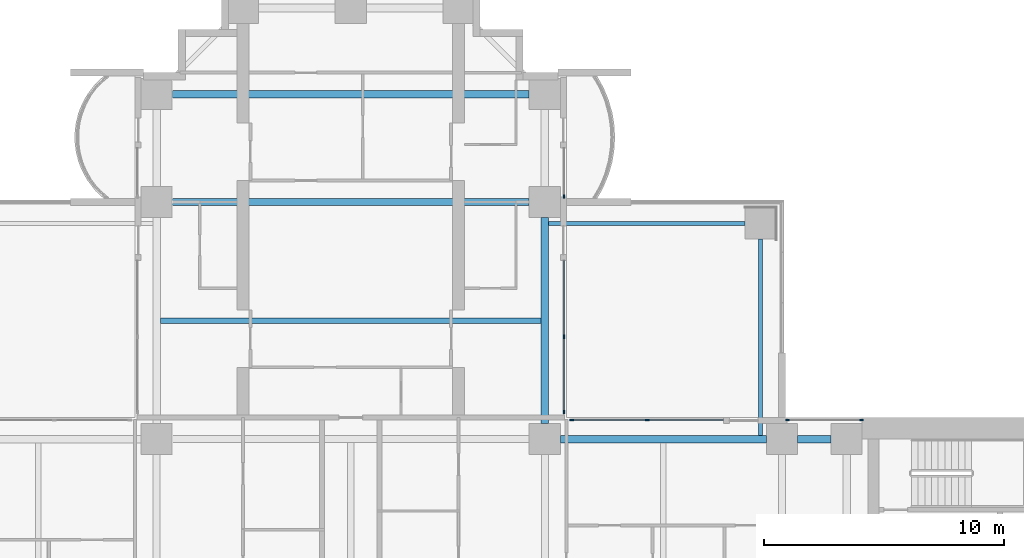
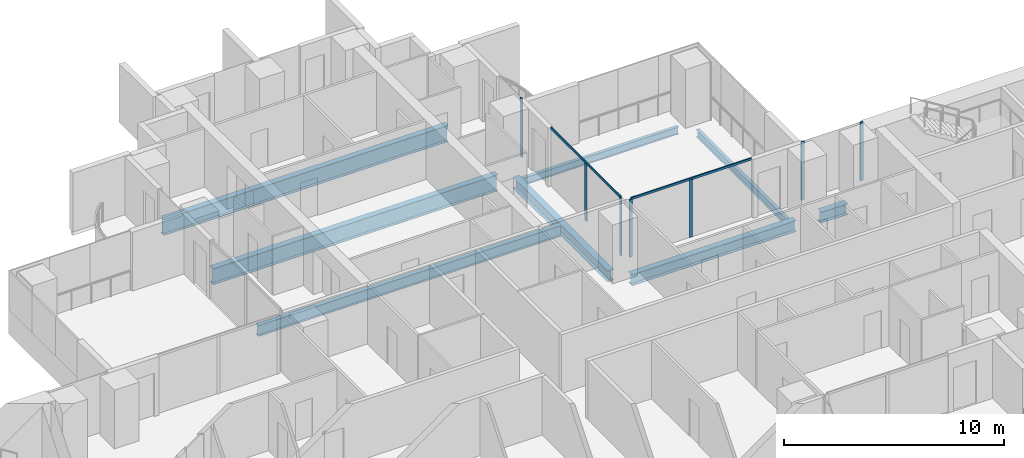
# One storey, part 6 of 21: 9 members, 8 beams, 4 elements without a shape of their own.
"""IFC4 building model written with IfcOpenShell, lengths in metres."""

from ifc_helpers import new_model, si_unit, direction, frame, origin, origin_2d, place, context, subcontext, project, spatial, rectangle, i_section, extrude, material, material_profile, profile_set, type_object, element, aggregate, save


model = new_model("IFC4")

# Units and contexts
model_context = context("Model", 3, precision=1e-05, world=origin(), true_north=direction((0.0, 1.0)))
body_context = subcontext(model_context, "Body", "Model", "MODEL_VIEW")
ifc_project = project(units=[si_unit("LENGTHUNIT", "METRE"), si_unit("AREAUNIT", "SQUARE_METRE"), si_unit("VOLUMEUNIT", "CUBIC_METRE"), si_unit("PLANEANGLEUNIT", "RADIAN"), si_unit("MASSUNIT", "GRAM", prefix="KILO")], contexts=[model_context])

# Site, building, storey
site_placement = place(None, origin())
site = spatial("IfcSite", under=ifc_project, at=site_placement, CompositionType="ELEMENT")
building_placement = place(site_placement, origin())
building = spatial("IfcBuilding", under=site, at=building_placement, Name="Perihelion Cross Residences", CompositionType="ELEMENT")
storey_placement = place(building_placement, frame((0.0, 0.0, 57.5)))
storey = spatial("IfcBuildingStorey", under=building, at=storey_placement, Name="L11", CompositionType="ELEMENT", Elevation=57.5)

# Curtain wall, members
ifc_material_1 = material(Name="Bronze anodised aluminium, tinted glazing", Category="aluminium")
curtain_wall_type = type_object("IfcCurtainWallType", Name="CW1", PredefinedType="NOTDEFINED", material=ifc_material_1)
curtain_wall_1_placement = place(storey_placement, origin())
curtain_wall_1 = element("IfcCurtainWall", 1, at=curtain_wall_1_placement, inside=storey, type_object=curtain_wall_type, Name="Curtain wall CW1 L11 east side north bay 1", PredefinedType="NOTDEFINED")
ifc_material_2 = material(Name="Bronze anodised aluminium", Category="aluminium")
ifc_material_profile_1 = material_profile(ifc_material_2, rectangle(XDim=0.06005859375, YDim=0.159912109375, at=origin_2d()), Name="CW1 mullion")
ifc_profile_set_1 = profile_set([ifc_material_profile_1], Name="Bronze anodised aluminium")
member_type_1 = type_object("IfcMemberType", Name="CW1 mullion", PredefinedType="MULLION", material=ifc_profile_set_1)
member_1_placement = place(storey_placement, frame((21.320068359375, 8.89990234375, 0.0), z_axis=(0.0, 0.0, 1.0), x_axis=(0.0, -1.0, 0.0)))
member_1 = element("IfcMember", 2, at=member_1_placement, type_object=member_type_1, Name="CW1 mullion 1", PredefinedType="MULLION", context=body_context, shape_type="SweptSolid", body=[
    extrude(rectangle(XDim=0.06005859375, YDim=0.159912109375, at=origin_2d()), origin(), (0.0, 0.0, 1.0), 3.25),
])
member_2_placement = place(storey_placement, frame((18.22998046875, 8.89990234375, 0.0), z_axis=(0.0, 0.0, 1.0), x_axis=(0.0, -1.0, 0.0)))
member_2 = element("IfcMember", 3, at=member_2_placement, type_object=member_type_1, Name="CW1 mullion 2", PredefinedType="MULLION", context=body_context, shape_type="SweptSolid", body=[
    extrude(rectangle(XDim=0.06005859375, YDim=0.159912109375, at=origin_2d()), origin(), (0.0, 0.0, 1.0), 3.25),
])
aggregate(curtain_wall_1, [member_1, member_2])

curtain_wall_2_placement = place(storey_placement, origin())
curtain_wall_2 = element("IfcCurtainWall", 4, at=curtain_wall_2_placement, inside=storey, type_object=curtain_wall_type, Name="Curtain wall CW1 L11 east side north bay 2", PredefinedType="NOTDEFINED")
member_3_placement = place(storey_placement, frame((12.375, 8.89990234375, 0.0), z_axis=(0.0, 0.0, 1.0), x_axis=(0.0, -1.0, 0.0)))
member_3 = element("IfcMember", 5, at=member_3_placement, type_object=member_type_1, Name="CW1 mullion 2", PredefinedType="MULLION", context=body_context, shape_type="SweptSolid", body=[
    extrude(rectangle(XDim=0.06005859375, YDim=0.159912109375, at=origin_2d()), origin(), (0.0, 0.0, 1.0), 3.18994140625),
])
member_4_placement = place(storey_placement, frame((9.22998046875, 8.89990234375, 0.0), z_axis=(0.0, 0.0, 1.0), x_axis=(0.0, -1.0, 0.0)))
member_4 = element("IfcMember", 6, at=member_4_placement, type_object=member_type_1, Name="CW1 mullion 3", PredefinedType="MULLION", context=body_context, shape_type="SweptSolid", body=[
    extrude(rectangle(XDim=0.06005859375, YDim=0.159912109375, at=origin_2d()), origin(), (0.0, 0.0, 1.0), 3.18994140625),
])

curtain_wall_3_placement = place(storey_placement, origin())
curtain_wall_3 = element("IfcCurtainWall", 7, at=curtain_wall_3_placement, inside=storey, type_object=curtain_wall_type, Name="Curtain wall CW1 L11 north side east bay 1", PredefinedType="NOTDEFINED")
member_5_placement = place(storey_placement, frame((8.89990234375, 9.22998046875, 0.0), z_axis=(0.0, 0.0, 1.0), x_axis=(-1.0, 0.0, 0.0)))
member_5 = element("IfcMember", 8, at=member_5_placement, type_object=member_type_1, Name="CW1 mullion 1", PredefinedType="MULLION", context=body_context, shape_type="SweptSolid", body=[
    extrude(rectangle(XDim=0.06005859375, YDim=0.159912109375, at=origin_2d()), origin(), (0.0, 0.0, 1.0), 3.18994140625),
])
member_6_placement = place(storey_placement, frame((8.89990234375, 12.375, 0.0), z_axis=(0.0, 0.0, 1.0), x_axis=(-1.0, 0.0, 0.0)))
member_6 = element("IfcMember", 9, at=member_6_placement, type_object=member_type_1, Name="CW1 mullion 2", PredefinedType="MULLION", context=body_context, shape_type="SweptSolid", body=[
    extrude(rectangle(XDim=0.06005859375, YDim=0.159912109375, at=origin_2d()), origin(), (0.0, 0.0, 1.0), 3.18994140625),
])

# Curtain wall, member
curtain_wall_4_placement = place(storey_placement, origin())
curtain_wall_4 = element("IfcCurtainWall", 10, at=curtain_wall_4_placement, inside=storey, type_object=curtain_wall_type, Name="Curtain wall CW1 L11 north side east bay 2", PredefinedType="NOTDEFINED")
member_7_placement = place(storey_placement, frame((8.89990234375, 18.22998046875, 0.0), z_axis=(0.0, 0.0, 1.0), x_axis=(-1.0, 0.0, 0.0)))
member_7 = element("IfcMember", 11, at=member_7_placement, type_object=member_type_1, Name="CW1 mullion 1", PredefinedType="MULLION", context=body_context, shape_type="SweptSolid", body=[
    extrude(rectangle(XDim=0.06005859375, YDim=0.159912109375, at=origin_2d()), origin(), (0.0, 0.0, 1.0), 3.25),
])
aggregate(curtain_wall_4, [member_7])

# Member
ifc_material_3 = material(Name="Bronze anodised aluminium", Category="aluminium")
ifc_material_profile_2 = material_profile(ifc_material_3, rectangle(XDim=0.06005859375, YDim=0.1201171875, at=origin_2d()), Name="CW1 transom")
ifc_profile_set_2 = profile_set([ifc_material_profile_2], Name="Bronze anodised aluminium")
member_type_2 = type_object("IfcMemberType", Name="CW1 transom", PredefinedType="USERDEFINED", material=ifc_profile_set_2)
member_8_placement = place(storey_placement, frame((15.550048828125, 8.89990234375, 3.219970703125), z_axis=(-1.0, 0.0, 0.0), x_axis=(0.0, -1.0, 0.0)))
member_8 = element("IfcMember", 12, at=member_8_placement, type_object=member_type_2, Name="CW1 head transom", ObjectType="TRANSOM", PredefinedType="USERDEFINED", context=body_context, shape_type="SweptSolid", body=[
    extrude(rectangle(XDim=0.06005859375, YDim=0.1201171875, at=origin_2d()), origin(), (0.0, 0.0, 1.0), 6.320068359375),
])

aggregate(curtain_wall_2, [member_3, member_4, member_8])

member_9_placement = place(storey_placement, frame((8.89990234375, 9.22998046875, 3.219970703125), z_axis=(0.0, 1.0, 0.0), x_axis=(-1.0, 0.0, 0.0)))
member_9 = element("IfcMember", 13, at=member_9_placement, type_object=member_type_2, Name="CW1 head transom", ObjectType="TRANSOM", PredefinedType="USERDEFINED", context=body_context, shape_type="SweptSolid", body=[
    extrude(rectangle(XDim=0.06005859375, YDim=0.1201171875, at=origin_2d()), origin(), (0.0, 0.0, 1.0), 6.320068359375),
])

aggregate(curtain_wall_3, [member_5, member_6, member_9])

# Beams
ifc_material_4 = material(Name="Steel S355", Category="steel")
ifc_material_profile_3 = material_profile(ifc_material_4, i_section(OverallWidth=0.177978515625, OverallDepth=0.406005859375, WebThickness=0.0078125, FlangeThickness=0.0126953125, at=origin_2d()), Name="W410x60")
ifc_profile_set_3 = profile_set([ifc_material_profile_3], Name="Steel S355")
beam_type_1 = type_object("IfcBeamType", Name="Core edge beam W410x60", PredefinedType="BEAM", material=ifc_profile_set_3)
for number, where, z_axis, x_axis, name in (
    (14, (17.10009765625, 8.262451171875, -0.452880859375), (0.0, 1.0, 0.0), (-1.0, 0.0, 0.0), "Core edge beam TB2 L11 corner no. 7"),
    (15, (8.262451171875, 17.10009765625, -0.452880859375), (1.0, 0.0, 0.0), (0.0, 1.0, 0.0), "Core edge beam TB2 L11 corner no. 8"),
):
    element("IfcBeam", number, at=place(storey_placement, frame(where, z_axis=z_axis, x_axis=x_axis)), inside=storey, type_object=beam_type_1, Name=name, PredefinedType="BEAM", context=body_context, shape_type="SweptSolid", body=[
        extrude(i_section(OverallWidth=0.177978515625, OverallDepth=0.406005859375, WebThickness=0.0078125, FlangeThickness=0.0126953125, at=origin_2d()), origin(), (0.0, 0.0, 1.0), 8.1875),
    ])
ifc_material_5 = material(Name="Steel S355", Category="steel")
ifc_material_profile_4 = material_profile(ifc_material_5, i_section(OverallWidth=0.324951171875, OverallDepth=0.616943359375, WebThickness=0.013916015625, FlangeThickness=0.021484375, at=origin_2d()), Name="W610x174")
ifc_profile_set_4 = profile_set([ifc_material_profile_4], Name="Steel S355")
beam_type_2 = type_object("IfcBeamType", Name="Edge beam W610x174", PredefinedType="SPANDREL", material=ifc_profile_set_4)
beam_1_placement = place(storey_placement, frame((20.050048828125, 8.10009765625, -0.55859375), z_axis=(-1.0, 0.0, 0.0), x_axis=(0.0, -1.0, 0.0)))
element("IfcBeam", 16, at=beam_1_placement, inside=storey, type_object=beam_type_2, Name="Edge beam SB2 L11 no. 14", PredefinedType="SPANDREL", context=body_context, shape_type="SweptSolid", body=[
    extrude(i_section(OverallWidth=0.324951171875, OverallDepth=0.616943359375, WebThickness=0.013916015625, FlangeThickness=0.021484375, at=origin_2d()), origin(), (0.0, 0.0, 1.0), 1.400146484375),
])
for number, where, z_axis, x_axis, name in (
    (17, (17.35009765625, 8.10009765625, -0.55859375), (-1.0, 0.0, 0.0), (0.0, -1.0, 0.0), "Edge beam SB2 L11 no. 13"),
    (18, (8.10009765625, 8.75, -0.55859375), (0.0, 1.0, 0.0), (-1.0, 0.0, 0.0), "Edge beam SB2 L11 no. 20"),
):
    element("IfcBeam", number, at=place(storey_placement, frame(where, z_axis=z_axis, x_axis=x_axis)), inside=storey, type_object=beam_type_2, Name=name, PredefinedType="SPANDREL", context=body_context, shape_type="SweptSolid", body=[
        extrude(i_section(OverallWidth=0.324951171875, OverallDepth=0.616943359375, WebThickness=0.013916015625, FlangeThickness=0.021484375, at=origin_2d()), origin(), (0.0, 0.0, 1.0), 8.60009765625),
    ])
ifc_material_6 = material(Name="Steel S355", Category="steel")
ifc_material_profile_5 = material_profile(ifc_material_6, i_section(OverallWidth=0.304931640625, OverallDepth=0.904052734375, WebThickness=0.01513671875, FlangeThickness=0.02001953125, at=origin_2d()), Name="W920x201")
ifc_profile_set_5 = profile_set([ifc_material_profile_5], Name="Steel S355")
beam_type_3 = type_object("IfcBeamType", Name="Floor girder W920x201", PredefinedType="BEAM", material=ifc_profile_set_5)
for number, where, z_axis, x_axis, name in (
    (19, (-7.449951171875, 18.0, -0.701904296875), (1.0, 0.0, 0.0), (0.0, 1.0, 0.0), "Girder G2 L11 no. 5"),
    (20, (-7.449951171875, 22.5, -0.701904296875), (1.0, 0.0, 0.0), (0.0, 1.0, 0.0), "Girder G2 L11 no. 6"),
):
    element("IfcBeam", number, at=place(storey_placement, frame(where, z_axis=z_axis, x_axis=x_axis)), inside=storey, type_object=beam_type_3, Name=name, PredefinedType="BEAM", context=body_context, shape_type="SweptSolid", body=[
        extrude(i_section(OverallWidth=0.304931640625, OverallDepth=0.904052734375, WebThickness=0.01513671875, FlangeThickness=0.02001953125, at=origin_2d()), origin(), (0.0, 0.0, 1.0), 14.89990234375),
    ])
ifc_material_7 = material(Name="Steel S355", Category="steel")
ifc_material_profile_6 = material_profile(ifc_material_7, i_section(OverallWidth=0.22900390625, OverallDepth=0.612060546875, WebThickness=0.011962890625, FlangeThickness=0.01953125, at=origin_2d()), Name="W610x125")
ifc_profile_set_6 = profile_set([ifc_material_profile_6], Name="Steel S355")
beam_type_4 = type_object("IfcBeamType", Name="Floor joist W610x125", PredefinedType="JOIST", material=ifc_profile_set_6)
beam_2_placement = place(storey_placement, frame((-7.9375, 13.050048828125, -0.555908203125), z_axis=(1.0, 0.0, 0.0), x_axis=(0.0, 1.0, 0.0)))
element("IfcBeam", 21, at=beam_2_placement, inside=storey, type_object=beam_type_4, Name="Joist J3 L11 no. 4", PredefinedType="JOIST", context=body_context, shape_type="SweptSolid", body=[
    extrude(i_section(OverallWidth=0.22900390625, OverallDepth=0.612060546875, WebThickness=0.011962890625, FlangeThickness=0.01953125, at=origin_2d()), origin(), (0.0, 0.0, 1.0), 15.875),
])

save(model, "model.ifc")
